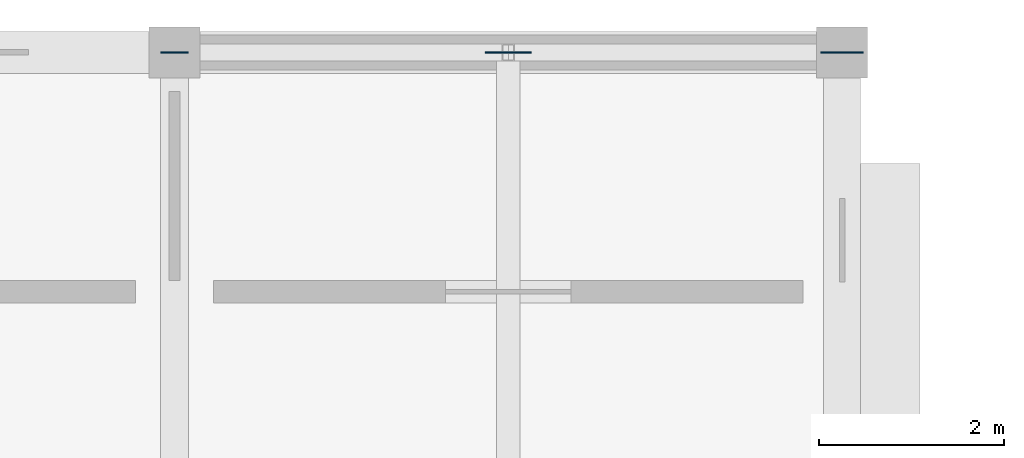
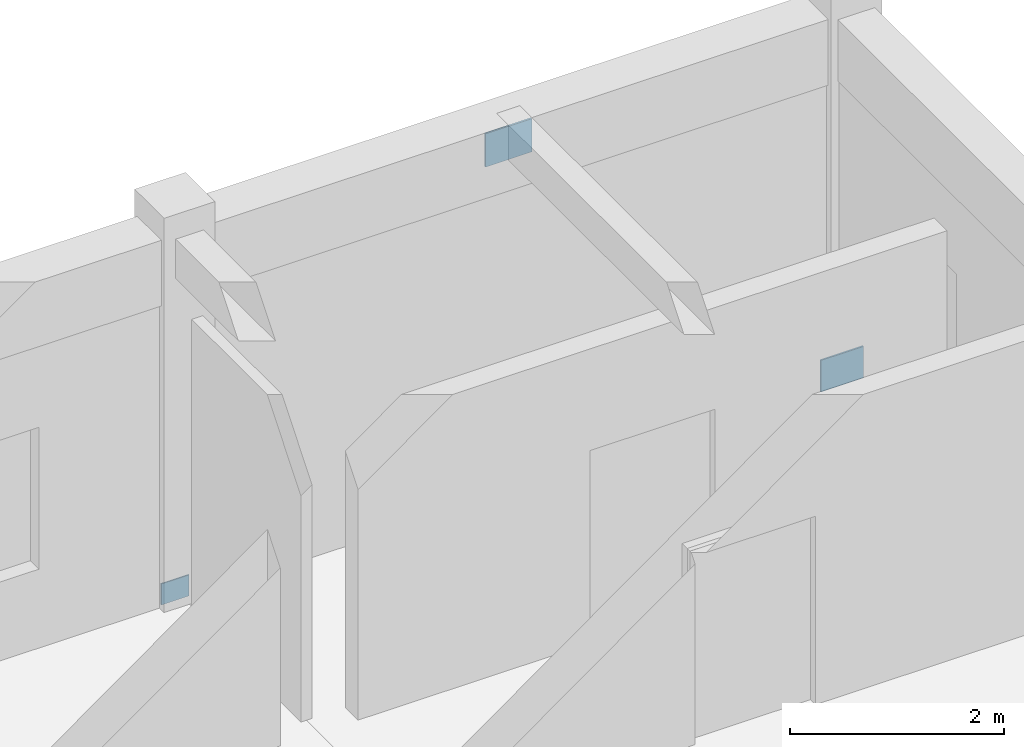
# One storey, part 115 of 171: 3 plates.
"""IFC4 building model written with IfcOpenShell, lengths in metres."""

from ifc_helpers import new_model, si_unit, direction, frame, origin, origin_2d, place, context, subcontext, project, spatial, rectangle, extrude, material, layer, layer_set, type_object, element, save


model = new_model("IFC4")

# Units and contexts
model_context = context("Model", 3, precision=1e-05, world=origin(), true_north=direction((0.0, 1.0)))
body_context = subcontext(model_context, "Body", "Model", "MODEL_VIEW")
ifc_project = project(units=[si_unit("LENGTHUNIT", "METRE"), si_unit("AREAUNIT", "SQUARE_METRE"), si_unit("VOLUMEUNIT", "CUBIC_METRE"), si_unit("PLANEANGLEUNIT", "RADIAN"), si_unit("MASSUNIT", "GRAM", prefix="KILO")], contexts=[model_context])

# Site, building, storey
site_placement = place(None, origin())
site = spatial("IfcSite", under=ifc_project, at=site_placement, CompositionType="ELEMENT")
building_placement = place(site_placement, origin())
building = spatial("IfcBuilding", under=site, at=building_placement, Name="Aldebral Square Health Centre", CompositionType="ELEMENT")
storey_placement = place(building_placement, frame((0.0, 0.0, 4.5)))
storey = spatial("IfcBuildingStorey", under=building, at=storey_placement, Name="L01", CompositionType="ELEMENT", Elevation=4.5)

# Plates
ifc_material = material(Name="Steel S355JR", Category="steel")
ifc_layer_1 = layer(ifc_material, 0.013916015625, Name="Steel S355JR", Category="steel")
ifc_layer_set_1 = layer_set([ifc_layer_1], Name="Steel S355JR")
plate_type_1 = type_object("IfcPlateType", Name="PL-GUS-4", PredefinedType="USERDEFINED", material=ifc_layer_set_1)
plate_1_placement = place(storey_placement, frame((57.60009765625, 115.199951171875, -0.1201171875), z_axis=(0.0, 0.0, 1.0), x_axis=(1.0, 0.0, 0.0)))
element("IfcPlate", 1, at=plate_1_placement, inside=storey, type_object=plate_type_1, Name="L01 north chevron brace 9 west base gusset plate", ObjectType="GUSSET_PLATE", PredefinedType="USERDEFINED", context=body_context, shape_type="SweptSolid", body=[
    extrude(rectangle(XDim=0.300048828125, YDim=0.013916015625, at=origin_2d()), origin(), (0.0, 0.0, 1.0), 0.239990234375),
])
ifc_layer_2 = layer(ifc_material, 0.01806640625, Name="Steel S355JR", Category="steel")
ifc_layer_set_2 = layer_set([ifc_layer_2], Name="Steel S355JR")
plate_type_2 = type_object("IfcPlateType", Name="PL-GUS-5", PredefinedType="USERDEFINED", material=ifc_layer_set_2)
plate_2_placement = place(storey_placement, frame((64.800048828125, 115.199951171875, -0.18017578125), z_axis=(0.0, 0.0, 1.0), x_axis=(1.0, 0.0, 0.0)))
element("IfcPlate", 2, at=plate_2_placement, inside=storey, type_object=plate_type_2, Name="L01 north chevron brace 9 east base gusset plate", ObjectType="GUSSET_PLATE", PredefinedType="USERDEFINED", context=body_context, shape_type="SweptSolid", body=[
    extrude(rectangle(XDim=0.4599609375, YDim=0.01806640625, at=origin_2d()), origin(), (0.0, 0.0, 1.0), 0.360107421875),
])
ifc_layer_3 = layer(ifc_material, 0.02001953125, Name="Steel S355JR", Category="steel")
ifc_layer_set_3 = layer_set([ifc_layer_3], Name="Steel S355JR")
plate_type_3 = type_object("IfcPlateType", Name="PL-GUS-6", PredefinedType="USERDEFINED", material=ifc_layer_set_3)
plate_3_placement = place(storey_placement, frame((61.199951171875, 115.199951171875, 3.655029296875), z_axis=(0.0, 0.0, 1.0), x_axis=(1.0, 0.0, 0.0)))
element("IfcPlate", 3, at=plate_3_placement, inside=storey, type_object=plate_type_3, Name="L01 north chevron brace 9 apex gusset plate", ObjectType="GUSSET_PLATE", PredefinedType="USERDEFINED", context=body_context, shape_type="SweptSolid", body=[
    extrude(rectangle(XDim=0.5, YDim=0.02001953125, at=origin_2d()), origin(), (0.0, 0.0, 1.0), 0.3798828125),
])

save(model, "model.ifc")
